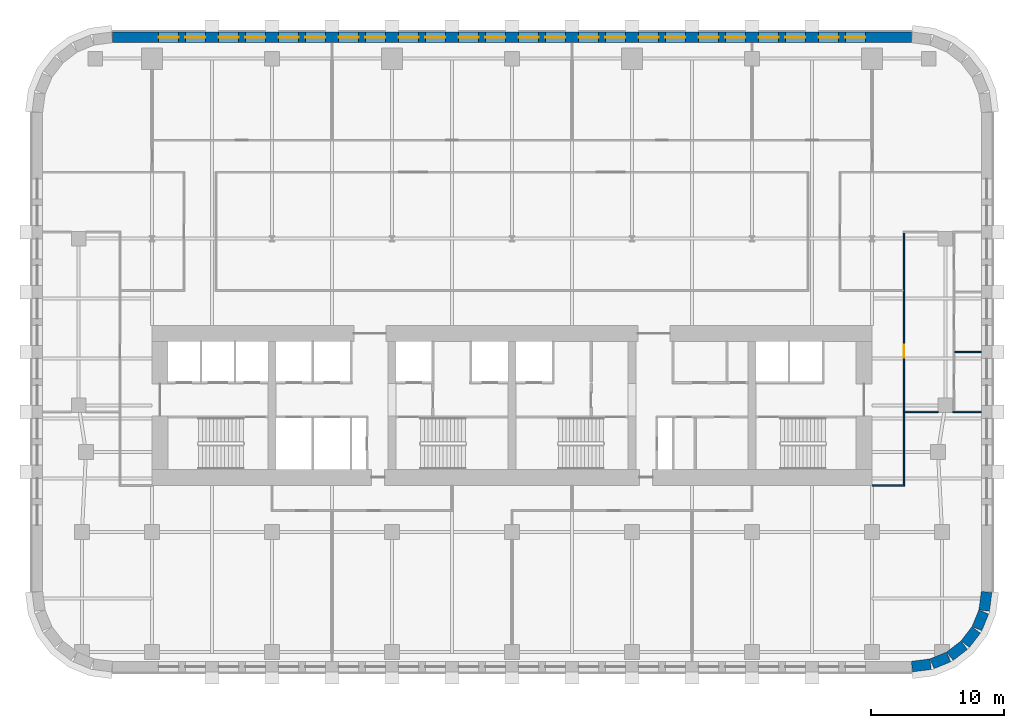
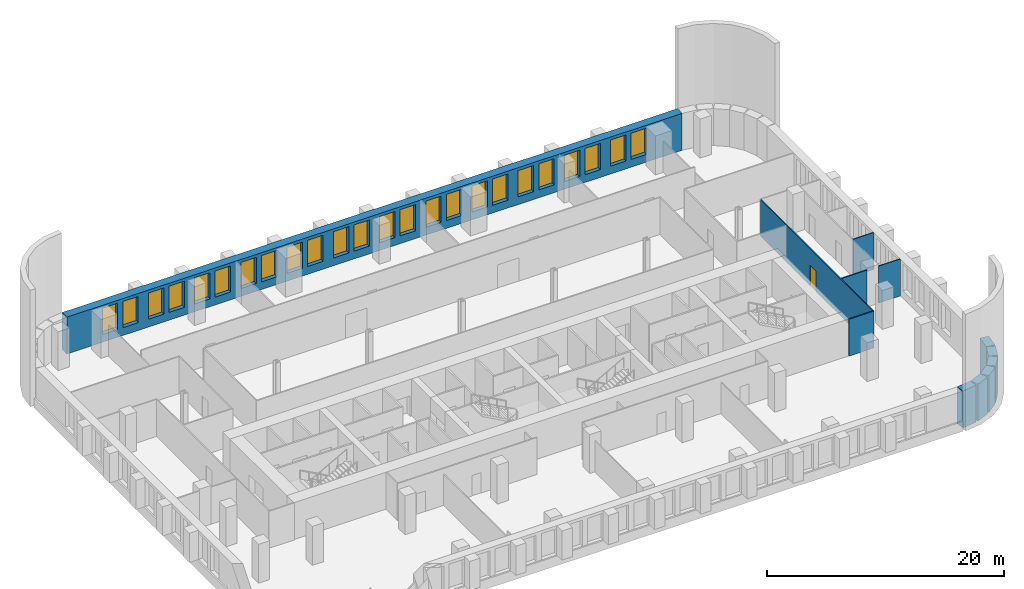
# One storey, part 8 of 12: 24 windows, 12 walls, 1 door, 25 openings.
"""IFC4 building model written with IfcOpenShell, lengths in metres."""

from ifc_helpers import new_model, si_unit, direction, frame, frame_2d, origin, place, context, subcontext, project, spatial, rectangle, extrude, material, layer, layer_set, type_object, element, fill, save


model = new_model("IFC4")

# Units and contexts
model_context = context("Model", 3, precision=1e-05, world=origin(), true_north=direction((0.0, 1.0)))
body_context = subcontext(model_context, "Body", "Model", "MODEL_VIEW")
ifc_project = project(units=[si_unit("LENGTHUNIT", "METRE"), si_unit("AREAUNIT", "SQUARE_METRE"), si_unit("VOLUMEUNIT", "CUBIC_METRE"), si_unit("PLANEANGLEUNIT", "RADIAN"), si_unit("MASSUNIT", "GRAM", prefix="KILO")], contexts=[model_context])

# Site, building, storey
site_placement = place(None, origin())
site = spatial("IfcSite", under=ifc_project, at=site_placement, CompositionType="ELEMENT")
building_placement = place(site_placement, origin())
building = spatial("IfcBuilding", under=site, at=building_placement, Name="Zellij Exchange Tower", CompositionType="ELEMENT")
storey_placement = place(building_placement, frame((0.0, 0.0, 88.5)))
storey = spatial("IfcBuildingStorey", under=building, at=storey_placement, Name="L18", CompositionType="ELEMENT", Elevation=88.5)

# Walls
ifc_material_1 = material(Name="Precast concrete C40/50", Category="concrete")
ifc_layer_1 = layer(ifc_material_1, 0.800048828125)
ifc_layer_set_1 = layer_set([ifc_layer_1], Name="Precast concrete C40/50")
wall_type_1 = type_object("IfcWallType", Name="ENV-EW1 Precast stone-piered wall 800", PredefinedType="SOLIDWALL", material=ifc_layer_set_1)
wall_1_placement = place(storey_placement, frame((29.999755859375, -27.5966796875, 0.0), z_axis=(0.0, 0.0, 1.0), x_axis=(0.99144603414, 0.130517283865, 0.0)))
element("IfcWall", 1, at=wall_1_placement, inside=storey, type_object=wall_type_1, Name="fac.L18.01", PredefinedType="SOLIDWALL", context=body_context, shape_type="SweptSolid", body=[
    extrude(rectangle(XDim=1.408447265625, YDim=0.800048828125, at=frame_2d((0.7041015625, 0.0))), origin(), (0.0, 0.0, 1.0), 3.800048828125),
])
wall_2_placement = place(storey_placement, frame((31.497314453125, -27.3857421875, 0.0), z_axis=(0.0, 0.0, 1.0), x_axis=(0.923847774587, 0.38276009378, 0.0)))
element("IfcWall", 2, at=wall_2_placement, inside=storey, type_object=wall_type_1, Name="fac.L18.02", PredefinedType="SOLIDWALL", context=body_context, shape_type="SweptSolid", body=[
    extrude(rectangle(XDim=1.35546875, YDim=0.800048828125, at=frame_2d((0.677734375, 0.0))), origin(), (0.0, 0.0, 1.0), 3.800048828125),
])
for number, where, z_axis, x_axis, name in (
    (3, (32.840087890625, -26.814697265625, 0.0), (0.0, 0.0, 1.0), (0.793272915452, 0.608866226366, 0.0), "fac.L18.03"),
    (4, (33.9892578125, -25.91552734375, 0.0), (0.0, 0.0, 1.0), (0.608866226366, 0.793272915452, 0.0), "fac.L18.04"),
):
    element("IfcWall", number, at=place(storey_placement, frame(where, z_axis=z_axis, x_axis=x_axis)), inside=storey, type_object=wall_type_1, Name=name, PredefinedType="SOLIDWALL", context=body_context, shape_type="SweptSolid", body=[
        extrude(rectangle(XDim=1.355712890625, YDim=0.800048828125, at=frame_2d((0.677734375, 0.0))), origin(), (0.0, 0.0, 1.0), 3.800048828125),
    ])
wall_3_placement = place(storey_placement, frame((34.866943359375, -24.74951171875, 0.0), z_axis=(0.0, 0.0, 1.0), x_axis=(0.38276009378, 0.923847774587, 0.0)))
element("IfcWall", 5, at=wall_3_placement, inside=storey, type_object=wall_type_1, Name="fac.L18.05", PredefinedType="SOLIDWALL", context=body_context, shape_type="SweptSolid", body=[
    extrude(rectangle(XDim=1.35546875, YDim=0.800048828125, at=frame_2d((0.677734375, 0.0))), origin(), (0.0, 0.0, 1.0), 3.800048828125),
])
wall_4_placement = place(storey_placement, frame((35.412841796875, -23.396240234375, 0.0), z_axis=(0.0, 0.0, 1.0), x_axis=(0.130517283865, 0.99144603414, 0.0)))
element("IfcWall", 6, at=wall_4_placement, inside=storey, type_object=wall_type_1, Name="fac.L18.06", PredefinedType="SOLIDWALL", context=body_context, shape_type="SweptSolid", body=[
    extrude(rectangle(XDim=1.408447265625, YDim=0.800048828125, at=frame_2d((0.7041015625, 0.0))), origin(), (0.0, 0.0, 1.0), 3.800048828125),
])

# Wall, openings, windows
wall_5_placement = place(storey_placement, frame((29.947509765625, 19.60009765625, 0.0), z_axis=(0.0, 0.0, 1.0), x_axis=(-1.0, 0.0, 0.0)))
wall_5 = element("IfcWall", 7, at=wall_5_placement, inside=storey, type_object=wall_type_1, Name="fac.L18.14", PredefinedType="SOLIDWALL", context=body_context, shape_type="SweptSolid", body=[
    extrude(rectangle(XDim=59.89501953125, YDim=0.800048828125, at=frame_2d((29.947509765625, 0.0))), origin(), (0.0, 0.0, 1.0), 3.800048828125),
])
opening_1_placement = place(wall_5_placement, frame((3.447509765625, 0.0, 0.800048828125)))
opening_1 = element("IfcOpeningElement", 8, at=opening_1_placement, cuts=wall_5, Name="Opening FZ1.37", PredefinedType="OPENING", context=body_context, shape_type="SweptSolid", body=[
    extrude(rectangle(XDim=1.5, YDim=2.699951171875, at=frame_2d((0.75, 1.35009765625))), frame((0.0, 0.412109375, 0.0), z_axis=(0.0, -1.0, 0.0), x_axis=(1.0, 0.0, 0.0)), (0.0, 0.0, 1.0), 0.823974609375),
])
opening_2_placement = place(wall_5_placement, frame((5.447509765625, 0.0, 0.800048828125)))
opening_2 = element("IfcOpeningElement", 9, at=opening_2_placement, cuts=wall_5, Name="Opening FZ1.38", PredefinedType="OPENING", context=body_context, shape_type="SweptSolid", body=[
    extrude(rectangle(XDim=1.5, YDim=2.699951171875, at=frame_2d((0.75, 1.35009765625))), frame((0.0, 0.412109375, 0.0), z_axis=(0.0, -1.0, 0.0), x_axis=(1.0, 0.0, 0.0)), (0.0, 0.0, 1.0), 0.823974609375),
])
opening_3_placement = place(wall_5_placement, frame((7.947509765625, 0.0, 0.800048828125)))
opening_3 = element("IfcOpeningElement", 10, at=opening_3_placement, cuts=wall_5, Name="Opening FZ1.39", PredefinedType="OPENING", context=body_context, shape_type="SweptSolid", body=[
    extrude(rectangle(XDim=1.5, YDim=2.699951171875, at=frame_2d((0.75, 1.35009765625))), frame((0.0, 0.412109375, 0.0), z_axis=(0.0, -1.0, 0.0), x_axis=(1.0, 0.0, 0.0)), (0.0, 0.0, 1.0), 0.823974609375),
])
opening_4_placement = place(wall_5_placement, frame((9.947509765625, 0.0, 0.800048828125)))
opening_4 = element("IfcOpeningElement", 11, at=opening_4_placement, cuts=wall_5, Name="Opening FZ1.40", PredefinedType="OPENING", context=body_context, shape_type="SweptSolid", body=[
    extrude(rectangle(XDim=1.5, YDim=2.699951171875, at=frame_2d((0.75, 1.35009765625))), frame((0.0, 0.412109375, 0.0), z_axis=(0.0, -1.0, 0.0), x_axis=(1.0, 0.0, 0.0)), (0.0, 0.0, 1.0), 0.823974609375),
])
opening_5_placement = place(wall_5_placement, frame((12.447509765625, 0.0, 0.800048828125)))
opening_5 = element("IfcOpeningElement", 12, at=opening_5_placement, cuts=wall_5, Name="Opening FZ1.41", PredefinedType="OPENING", context=body_context, shape_type="SweptSolid", body=[
    extrude(rectangle(XDim=1.5, YDim=2.699951171875, at=frame_2d((0.75, 1.35009765625))), frame((0.0, 0.412109375, 0.0), z_axis=(0.0, -1.0, 0.0), x_axis=(1.0, 0.0, 0.0)), (0.0, 0.0, 1.0), 0.823974609375),
])
opening_6_placement = place(wall_5_placement, frame((14.447509765625, 0.0, 0.800048828125)))
opening_6 = element("IfcOpeningElement", 13, at=opening_6_placement, cuts=wall_5, Name="Opening FZ1.42", PredefinedType="OPENING", context=body_context, shape_type="SweptSolid", body=[
    extrude(rectangle(XDim=1.5, YDim=2.699951171875, at=frame_2d((0.75, 1.35009765625))), frame((0.0, 0.412109375, 0.0), z_axis=(0.0, -1.0, 0.0), x_axis=(1.0, 0.0, 0.0)), (0.0, 0.0, 1.0), 0.823974609375),
])
opening_7_placement = place(wall_5_placement, frame((16.947509765625, 0.0, 0.800048828125)))
opening_7 = element("IfcOpeningElement", 14, at=opening_7_placement, cuts=wall_5, Name="Opening FZ1.43", PredefinedType="OPENING", context=body_context, shape_type="SweptSolid", body=[
    extrude(rectangle(XDim=1.5, YDim=2.699951171875, at=frame_2d((0.75, 1.35009765625))), frame((0.0, 0.412109375, 0.0), z_axis=(0.0, -1.0, 0.0), x_axis=(1.0, 0.0, 0.0)), (0.0, 0.0, 1.0), 0.823974609375),
])
opening_8_placement = place(wall_5_placement, frame((18.947509765625, 0.0, 0.800048828125)))
opening_8 = element("IfcOpeningElement", 15, at=opening_8_placement, cuts=wall_5, Name="Opening FZ1.44", PredefinedType="OPENING", context=body_context, shape_type="SweptSolid", body=[
    extrude(rectangle(XDim=1.5, YDim=2.699951171875, at=frame_2d((0.75, 1.35009765625))), frame((0.0, 0.412109375, 0.0), z_axis=(0.0, -1.0, 0.0), x_axis=(1.0, 0.0, 0.0)), (0.0, 0.0, 1.0), 0.823974609375),
])
opening_9_placement = place(wall_5_placement, frame((21.447509765625, 0.0, 0.800048828125)))
opening_9 = element("IfcOpeningElement", 16, at=opening_9_placement, cuts=wall_5, Name="Opening FZ1.45", PredefinedType="OPENING", context=body_context, shape_type="SweptSolid", body=[
    extrude(rectangle(XDim=1.5, YDim=2.699951171875, at=frame_2d((0.75, 1.35009765625))), frame((0.0, 0.412109375, 0.0), z_axis=(0.0, -1.0, 0.0), x_axis=(1.0, 0.0, 0.0)), (0.0, 0.0, 1.0), 0.823974609375),
])
opening_10_placement = place(wall_5_placement, frame((23.447509765625, 0.0, 0.800048828125)))
opening_10 = element("IfcOpeningElement", 17, at=opening_10_placement, cuts=wall_5, Name="Opening FZ1.46", PredefinedType="OPENING", context=body_context, shape_type="SweptSolid", body=[
    extrude(rectangle(XDim=1.5, YDim=2.699951171875, at=frame_2d((0.75, 1.35009765625))), frame((0.0, 0.412109375, 0.0), z_axis=(0.0, -1.0, 0.0), x_axis=(1.0, 0.0, 0.0)), (0.0, 0.0, 1.0), 0.823974609375),
])
opening_11_placement = place(wall_5_placement, frame((25.947509765625, 0.0, 0.800048828125)))
opening_11 = element("IfcOpeningElement", 18, at=opening_11_placement, cuts=wall_5, Name="Opening FZ1.47", PredefinedType="OPENING", context=body_context, shape_type="SweptSolid", body=[
    extrude(rectangle(XDim=1.5, YDim=2.699951171875, at=frame_2d((0.75, 1.35009765625))), frame((0.0, 0.412109375, 0.0), z_axis=(0.0, -1.0, 0.0), x_axis=(1.0, 0.0, 0.0)), (0.0, 0.0, 1.0), 0.823974609375),
])
opening_12_placement = place(wall_5_placement, frame((27.947509765625, 0.0, 0.800048828125)))
opening_12 = element("IfcOpeningElement", 19, at=opening_12_placement, cuts=wall_5, Name="Opening FZ1.48", PredefinedType="OPENING", context=body_context, shape_type="SweptSolid", body=[
    extrude(rectangle(XDim=1.5, YDim=2.699951171875, at=frame_2d((0.75, 1.35009765625))), frame((0.0, 0.412109375, 0.0), z_axis=(0.0, -1.0, 0.0), x_axis=(1.0, 0.0, 0.0)), (0.0, 0.0, 1.0), 0.823974609375),
])
opening_13_placement = place(wall_5_placement, frame((30.447509765625, 0.0, 0.800048828125)))
opening_13 = element("IfcOpeningElement", 20, at=opening_13_placement, cuts=wall_5, Name="Opening FZ1.49", PredefinedType="OPENING", context=body_context, shape_type="SweptSolid", body=[
    extrude(rectangle(XDim=1.5, YDim=2.699951171875, at=frame_2d((0.75, 1.35009765625))), frame((0.0, 0.412109375, 0.0), z_axis=(0.0, -1.0, 0.0), x_axis=(1.0, 0.0, 0.0)), (0.0, 0.0, 1.0), 0.823974609375),
])
opening_14_placement = place(wall_5_placement, frame((32.447509765625, 0.0, 0.800048828125)))
opening_14 = element("IfcOpeningElement", 21, at=opening_14_placement, cuts=wall_5, Name="Opening FZ1.50", PredefinedType="OPENING", context=body_context, shape_type="SweptSolid", body=[
    extrude(rectangle(XDim=1.5, YDim=2.699951171875, at=frame_2d((0.75, 1.35009765625))), frame((0.0, 0.412109375, 0.0), z_axis=(0.0, -1.0, 0.0), x_axis=(1.0, 0.0, 0.0)), (0.0, 0.0, 1.0), 0.823974609375),
])
opening_15_placement = place(wall_5_placement, frame((34.947509765625, 0.0, 0.800048828125)))
opening_15 = element("IfcOpeningElement", 22, at=opening_15_placement, cuts=wall_5, Name="Opening FZ1.51", PredefinedType="OPENING", context=body_context, shape_type="SweptSolid", body=[
    extrude(rectangle(XDim=1.5, YDim=2.699951171875, at=frame_2d((0.75, 1.35009765625))), frame((0.0, 0.412109375, 0.0), z_axis=(0.0, -1.0, 0.0), x_axis=(1.0, 0.0, 0.0)), (0.0, 0.0, 1.0), 0.823974609375),
])
opening_16_placement = place(wall_5_placement, frame((36.947509765625, 0.0, 0.800048828125)))
opening_16 = element("IfcOpeningElement", 23, at=opening_16_placement, cuts=wall_5, Name="Opening FZ1.52", PredefinedType="OPENING", context=body_context, shape_type="SweptSolid", body=[
    extrude(rectangle(XDim=1.5, YDim=2.699951171875, at=frame_2d((0.75, 1.35009765625))), frame((0.0, 0.412109375, 0.0), z_axis=(0.0, -1.0, 0.0), x_axis=(1.0, 0.0, 0.0)), (0.0, 0.0, 1.0), 0.823974609375),
])
opening_17_placement = place(wall_5_placement, frame((39.447509765625, 0.0, 0.800048828125)))
opening_17 = element("IfcOpeningElement", 24, at=opening_17_placement, cuts=wall_5, Name="Opening FZ1.53", PredefinedType="OPENING", context=body_context, shape_type="SweptSolid", body=[
    extrude(rectangle(XDim=1.5, YDim=2.699951171875, at=frame_2d((0.75, 1.35009765625))), frame((0.0, 0.412109375, 0.0), z_axis=(0.0, -1.0, 0.0), x_axis=(1.0, 0.0, 0.0)), (0.0, 0.0, 1.0), 0.823974609375),
])
opening_18_placement = place(wall_5_placement, frame((41.447509765625, 0.0, 0.800048828125)))
opening_18 = element("IfcOpeningElement", 25, at=opening_18_placement, cuts=wall_5, Name="Opening FZ1.54", PredefinedType="OPENING", context=body_context, shape_type="SweptSolid", body=[
    extrude(rectangle(XDim=1.5, YDim=2.699951171875, at=frame_2d((0.75, 1.35009765625))), frame((0.0, 0.412109375, 0.0), z_axis=(0.0, -1.0, 0.0), x_axis=(1.0, 0.0, 0.0)), (0.0, 0.0, 1.0), 0.823974609375),
])
opening_19_placement = place(wall_5_placement, frame((43.947509765625, 0.0, 0.800048828125)))
opening_19 = element("IfcOpeningElement", 26, at=opening_19_placement, cuts=wall_5, Name="Opening FZ1.55", PredefinedType="OPENING", context=body_context, shape_type="SweptSolid", body=[
    extrude(rectangle(XDim=1.5, YDim=2.699951171875, at=frame_2d((0.75, 1.35009765625))), frame((0.0, 0.412109375, 0.0), z_axis=(0.0, -1.0, 0.0), x_axis=(1.0, 0.0, 0.0)), (0.0, 0.0, 1.0), 0.823974609375),
])
opening_20_placement = place(wall_5_placement, frame((45.947509765625, 0.0, 0.800048828125)))
opening_20 = element("IfcOpeningElement", 27, at=opening_20_placement, cuts=wall_5, Name="Opening FZ1.56", PredefinedType="OPENING", context=body_context, shape_type="SweptSolid", body=[
    extrude(rectangle(XDim=1.5, YDim=2.699951171875, at=frame_2d((0.75, 1.35009765625))), frame((0.0, 0.412109375, 0.0), z_axis=(0.0, -1.0, 0.0), x_axis=(1.0, 0.0, 0.0)), (0.0, 0.0, 1.0), 0.823974609375),
])
opening_21_placement = place(wall_5_placement, frame((48.447509765625, 0.0, 0.800048828125)))
opening_21 = element("IfcOpeningElement", 28, at=opening_21_placement, cuts=wall_5, Name="Opening FZ1.57", PredefinedType="OPENING", context=body_context, shape_type="SweptSolid", body=[
    extrude(rectangle(XDim=1.5, YDim=2.699951171875, at=frame_2d((0.75, 1.35009765625))), frame((0.0, 0.412109375, 0.0), z_axis=(0.0, -1.0, 0.0), x_axis=(1.0, 0.0, 0.0)), (0.0, 0.0, 1.0), 0.823974609375),
])
opening_22_placement = place(wall_5_placement, frame((50.447509765625, 0.0, 0.800048828125)))
opening_22 = element("IfcOpeningElement", 29, at=opening_22_placement, cuts=wall_5, Name="Opening FZ1.58", PredefinedType="OPENING", context=body_context, shape_type="SweptSolid", body=[
    extrude(rectangle(XDim=1.5, YDim=2.699951171875, at=frame_2d((0.75, 1.35009765625))), frame((0.0, 0.412109375, 0.0), z_axis=(0.0, -1.0, 0.0), x_axis=(1.0, 0.0, 0.0)), (0.0, 0.0, 1.0), 0.823974609375),
])
opening_23_placement = place(wall_5_placement, frame((52.947509765625, 0.0, 0.800048828125)))
opening_23 = element("IfcOpeningElement", 30, at=opening_23_placement, cuts=wall_5, Name="Opening FZ1.59", PredefinedType="OPENING", context=body_context, shape_type="SweptSolid", body=[
    extrude(rectangle(XDim=1.5, YDim=2.699951171875, at=frame_2d((0.75, 1.35009765625))), frame((0.0, 0.412109375, 0.0), z_axis=(0.0, -1.0, 0.0), x_axis=(1.0, 0.0, 0.0)), (0.0, 0.0, 1.0), 0.823974609375),
])
opening_24_placement = place(wall_5_placement, frame((54.947509765625, 0.0, 0.800048828125)))
opening_24 = element("IfcOpeningElement", 31, at=opening_24_placement, cuts=wall_5, Name="Opening FZ1.60", PredefinedType="OPENING", context=body_context, shape_type="SweptSolid", body=[
    extrude(rectangle(XDim=1.5, YDim=2.699951171875, at=frame_2d((0.75, 1.35009765625))), frame((0.0, 0.412109375, 0.0), z_axis=(0.0, -1.0, 0.0), x_axis=(1.0, 0.0, 0.0)), (0.0, 0.0, 1.0), 0.823974609375),
])
ifc_material_2 = material(Name="Aluminium frame with insulating glass", Category="aluminium")
window_type = type_object("IfcWindowType", Name="ENV-W6 Window 1500x2700", PartitioningType="SINGLE_PANEL", PredefinedType="WINDOW", material=ifc_material_2)
window_1_placement = place(opening_1_placement, origin())
window_1 = element("IfcWindow", 32, at=window_1_placement, inside=storey, type_object=window_type, Name="Window FZ1.37", OverallHeight=2.699951171875, OverallWidth=1.5, PartitioningType="SINGLE_PANEL", PredefinedType="WINDOW", context=body_context, shape_type="SweptSolid", body=[
    extrude(rectangle(XDim=1.5, YDim=2.699951171875, at=frame_2d((0.75, 1.35009765625))), frame((0.0, 0.030029296875, 0.0), z_axis=(0.0, -1.0, 0.0), x_axis=(1.0, 0.0, 0.0)), (0.0, 0.0, 1.0), 0.06005859375),
])
fill(opening_1, window_1)
window_2_placement = place(opening_2_placement, origin())
window_2 = element("IfcWindow", 33, at=window_2_placement, inside=storey, type_object=window_type, Name="Window FZ1.38", OverallHeight=2.699951171875, OverallWidth=1.5, PartitioningType="SINGLE_PANEL", PredefinedType="WINDOW", context=body_context, shape_type="SweptSolid", body=[
    extrude(rectangle(XDim=1.5, YDim=2.699951171875, at=frame_2d((0.75, 1.35009765625))), frame((0.0, 0.030029296875, 0.0), z_axis=(0.0, -1.0, 0.0), x_axis=(1.0, 0.0, 0.0)), (0.0, 0.0, 1.0), 0.06005859375),
])
fill(opening_2, window_2)
window_3_placement = place(opening_3_placement, origin())
window_3 = element("IfcWindow", 34, at=window_3_placement, inside=storey, type_object=window_type, Name="Window FZ1.39", OverallHeight=2.699951171875, OverallWidth=1.5, PartitioningType="SINGLE_PANEL", PredefinedType="WINDOW", context=body_context, shape_type="SweptSolid", body=[
    extrude(rectangle(XDim=1.5, YDim=2.699951171875, at=frame_2d((0.75, 1.35009765625))), frame((0.0, 0.030029296875, 0.0), z_axis=(0.0, -1.0, 0.0), x_axis=(1.0, 0.0, 0.0)), (0.0, 0.0, 1.0), 0.06005859375),
])
fill(opening_3, window_3)
window_4_placement = place(opening_4_placement, origin())
window_4 = element("IfcWindow", 35, at=window_4_placement, inside=storey, type_object=window_type, Name="Window FZ1.40", OverallHeight=2.699951171875, OverallWidth=1.5, PartitioningType="SINGLE_PANEL", PredefinedType="WINDOW", context=body_context, shape_type="SweptSolid", body=[
    extrude(rectangle(XDim=1.5, YDim=2.699951171875, at=frame_2d((0.75, 1.35009765625))), frame((0.0, 0.030029296875, 0.0), z_axis=(0.0, -1.0, 0.0), x_axis=(1.0, 0.0, 0.0)), (0.0, 0.0, 1.0), 0.06005859375),
])
fill(opening_4, window_4)
window_5_placement = place(opening_5_placement, origin())
window_5 = element("IfcWindow", 36, at=window_5_placement, inside=storey, type_object=window_type, Name="Window FZ1.41", OverallHeight=2.699951171875, OverallWidth=1.5, PartitioningType="SINGLE_PANEL", PredefinedType="WINDOW", context=body_context, shape_type="SweptSolid", body=[
    extrude(rectangle(XDim=1.5, YDim=2.699951171875, at=frame_2d((0.75, 1.35009765625))), frame((0.0, 0.030029296875, 0.0), z_axis=(0.0, -1.0, 0.0), x_axis=(1.0, 0.0, 0.0)), (0.0, 0.0, 1.0), 0.06005859375),
])
fill(opening_5, window_5)
window_6_placement = place(opening_6_placement, origin())
window_6 = element("IfcWindow", 37, at=window_6_placement, inside=storey, type_object=window_type, Name="Window FZ1.42", OverallHeight=2.699951171875, OverallWidth=1.5, PartitioningType="SINGLE_PANEL", PredefinedType="WINDOW", context=body_context, shape_type="SweptSolid", body=[
    extrude(rectangle(XDim=1.5, YDim=2.699951171875, at=frame_2d((0.75, 1.35009765625))), frame((0.0, 0.030029296875, 0.0), z_axis=(0.0, -1.0, 0.0), x_axis=(1.0, 0.0, 0.0)), (0.0, 0.0, 1.0), 0.06005859375),
])
fill(opening_6, window_6)
window_7_placement = place(opening_7_placement, origin())
window_7 = element("IfcWindow", 38, at=window_7_placement, inside=storey, type_object=window_type, Name="Window FZ1.43", OverallHeight=2.699951171875, OverallWidth=1.5, PartitioningType="SINGLE_PANEL", PredefinedType="WINDOW", context=body_context, shape_type="SweptSolid", body=[
    extrude(rectangle(XDim=1.5, YDim=2.699951171875, at=frame_2d((0.75, 1.35009765625))), frame((0.0, 0.030029296875, 0.0), z_axis=(0.0, -1.0, 0.0), x_axis=(1.0, 0.0, 0.0)), (0.0, 0.0, 1.0), 0.06005859375),
])
fill(opening_7, window_7)
window_8_placement = place(opening_8_placement, origin())
window_8 = element("IfcWindow", 39, at=window_8_placement, inside=storey, type_object=window_type, Name="Window FZ1.44", OverallHeight=2.699951171875, OverallWidth=1.5, PartitioningType="SINGLE_PANEL", PredefinedType="WINDOW", context=body_context, shape_type="SweptSolid", body=[
    extrude(rectangle(XDim=1.5, YDim=2.699951171875, at=frame_2d((0.75, 1.35009765625))), frame((0.0, 0.030029296875, 0.0), z_axis=(0.0, -1.0, 0.0), x_axis=(1.0, 0.0, 0.0)), (0.0, 0.0, 1.0), 0.06005859375),
])
fill(opening_8, window_8)
window_9_placement = place(opening_9_placement, origin())
window_9 = element("IfcWindow", 40, at=window_9_placement, inside=storey, type_object=window_type, Name="Window FZ1.45", OverallHeight=2.699951171875, OverallWidth=1.5, PartitioningType="SINGLE_PANEL", PredefinedType="WINDOW", context=body_context, shape_type="SweptSolid", body=[
    extrude(rectangle(XDim=1.5, YDim=2.699951171875, at=frame_2d((0.75, 1.35009765625))), frame((0.0, 0.030029296875, 0.0), z_axis=(0.0, -1.0, 0.0), x_axis=(1.0, 0.0, 0.0)), (0.0, 0.0, 1.0), 0.06005859375),
])
fill(opening_9, window_9)
window_10_placement = place(opening_10_placement, origin())
window_10 = element("IfcWindow", 41, at=window_10_placement, inside=storey, type_object=window_type, Name="Window FZ1.46", OverallHeight=2.699951171875, OverallWidth=1.5, PartitioningType="SINGLE_PANEL", PredefinedType="WINDOW", context=body_context, shape_type="SweptSolid", body=[
    extrude(rectangle(XDim=1.5, YDim=2.699951171875, at=frame_2d((0.75, 1.35009765625))), frame((0.0, 0.030029296875, 0.0), z_axis=(0.0, -1.0, 0.0), x_axis=(1.0, 0.0, 0.0)), (0.0, 0.0, 1.0), 0.06005859375),
])
fill(opening_10, window_10)
window_11_placement = place(opening_11_placement, origin())
window_11 = element("IfcWindow", 42, at=window_11_placement, inside=storey, type_object=window_type, Name="Window FZ1.47", OverallHeight=2.699951171875, OverallWidth=1.5, PartitioningType="SINGLE_PANEL", PredefinedType="WINDOW", context=body_context, shape_type="SweptSolid", body=[
    extrude(rectangle(XDim=1.5, YDim=2.699951171875, at=frame_2d((0.75, 1.35009765625))), frame((0.0, 0.030029296875, 0.0), z_axis=(0.0, -1.0, 0.0), x_axis=(1.0, 0.0, 0.0)), (0.0, 0.0, 1.0), 0.06005859375),
])
fill(opening_11, window_11)
window_12_placement = place(opening_12_placement, origin())
window_12 = element("IfcWindow", 43, at=window_12_placement, inside=storey, type_object=window_type, Name="Window FZ1.48", OverallHeight=2.699951171875, OverallWidth=1.5, PartitioningType="SINGLE_PANEL", PredefinedType="WINDOW", context=body_context, shape_type="SweptSolid", body=[
    extrude(rectangle(XDim=1.5, YDim=2.699951171875, at=frame_2d((0.75, 1.35009765625))), frame((0.0, 0.030029296875, 0.0), z_axis=(0.0, -1.0, 0.0), x_axis=(1.0, 0.0, 0.0)), (0.0, 0.0, 1.0), 0.06005859375),
])
fill(opening_12, window_12)
window_13_placement = place(opening_13_placement, origin())
window_13 = element("IfcWindow", 44, at=window_13_placement, inside=storey, type_object=window_type, Name="Window FZ1.49", OverallHeight=2.699951171875, OverallWidth=1.5, PartitioningType="SINGLE_PANEL", PredefinedType="WINDOW", context=body_context, shape_type="SweptSolid", body=[
    extrude(rectangle(XDim=1.5, YDim=2.699951171875, at=frame_2d((0.75, 1.35009765625))), frame((0.0, 0.030029296875, 0.0), z_axis=(0.0, -1.0, 0.0), x_axis=(1.0, 0.0, 0.0)), (0.0, 0.0, 1.0), 0.06005859375),
])
fill(opening_13, window_13)
window_14_placement = place(opening_14_placement, origin())
window_14 = element("IfcWindow", 45, at=window_14_placement, inside=storey, type_object=window_type, Name="Window FZ1.50", OverallHeight=2.699951171875, OverallWidth=1.5, PartitioningType="SINGLE_PANEL", PredefinedType="WINDOW", context=body_context, shape_type="SweptSolid", body=[
    extrude(rectangle(XDim=1.5, YDim=2.699951171875, at=frame_2d((0.75, 1.35009765625))), frame((0.0, 0.030029296875, 0.0), z_axis=(0.0, -1.0, 0.0), x_axis=(1.0, 0.0, 0.0)), (0.0, 0.0, 1.0), 0.06005859375),
])
fill(opening_14, window_14)
window_15_placement = place(opening_15_placement, origin())
window_15 = element("IfcWindow", 46, at=window_15_placement, inside=storey, type_object=window_type, Name="Window FZ1.51", OverallHeight=2.699951171875, OverallWidth=1.5, PartitioningType="SINGLE_PANEL", PredefinedType="WINDOW", context=body_context, shape_type="SweptSolid", body=[
    extrude(rectangle(XDim=1.5, YDim=2.699951171875, at=frame_2d((0.75, 1.35009765625))), frame((0.0, 0.030029296875, 0.0), z_axis=(0.0, -1.0, 0.0), x_axis=(1.0, 0.0, 0.0)), (0.0, 0.0, 1.0), 0.06005859375),
])
fill(opening_15, window_15)
window_16_placement = place(opening_16_placement, origin())
window_16 = element("IfcWindow", 47, at=window_16_placement, inside=storey, type_object=window_type, Name="Window FZ1.52", OverallHeight=2.699951171875, OverallWidth=1.5, PartitioningType="SINGLE_PANEL", PredefinedType="WINDOW", context=body_context, shape_type="SweptSolid", body=[
    extrude(rectangle(XDim=1.5, YDim=2.699951171875, at=frame_2d((0.75, 1.35009765625))), frame((0.0, 0.030029296875, 0.0), z_axis=(0.0, -1.0, 0.0), x_axis=(1.0, 0.0, 0.0)), (0.0, 0.0, 1.0), 0.06005859375),
])
fill(opening_16, window_16)
window_17_placement = place(opening_17_placement, origin())
window_17 = element("IfcWindow", 48, at=window_17_placement, inside=storey, type_object=window_type, Name="Window FZ1.53", OverallHeight=2.699951171875, OverallWidth=1.5, PartitioningType="SINGLE_PANEL", PredefinedType="WINDOW", context=body_context, shape_type="SweptSolid", body=[
    extrude(rectangle(XDim=1.5, YDim=2.699951171875, at=frame_2d((0.75, 1.35009765625))), frame((0.0, 0.030029296875, 0.0), z_axis=(0.0, -1.0, 0.0), x_axis=(1.0, 0.0, 0.0)), (0.0, 0.0, 1.0), 0.06005859375),
])
fill(opening_17, window_17)
window_18_placement = place(opening_18_placement, origin())
window_18 = element("IfcWindow", 49, at=window_18_placement, inside=storey, type_object=window_type, Name="Window FZ1.54", OverallHeight=2.699951171875, OverallWidth=1.5, PartitioningType="SINGLE_PANEL", PredefinedType="WINDOW", context=body_context, shape_type="SweptSolid", body=[
    extrude(rectangle(XDim=1.5, YDim=2.699951171875, at=frame_2d((0.75, 1.35009765625))), frame((0.0, 0.030029296875, 0.0), z_axis=(0.0, -1.0, 0.0), x_axis=(1.0, 0.0, 0.0)), (0.0, 0.0, 1.0), 0.06005859375),
])
fill(opening_18, window_18)
window_19_placement = place(opening_19_placement, origin())
window_19 = element("IfcWindow", 50, at=window_19_placement, inside=storey, type_object=window_type, Name="Window FZ1.55", OverallHeight=2.699951171875, OverallWidth=1.5, PartitioningType="SINGLE_PANEL", PredefinedType="WINDOW", context=body_context, shape_type="SweptSolid", body=[
    extrude(rectangle(XDim=1.5, YDim=2.699951171875, at=frame_2d((0.75, 1.35009765625))), frame((0.0, 0.030029296875, 0.0), z_axis=(0.0, -1.0, 0.0), x_axis=(1.0, 0.0, 0.0)), (0.0, 0.0, 1.0), 0.06005859375),
])
fill(opening_19, window_19)
window_20_placement = place(opening_20_placement, origin())
window_20 = element("IfcWindow", 51, at=window_20_placement, inside=storey, type_object=window_type, Name="Window FZ1.56", OverallHeight=2.699951171875, OverallWidth=1.5, PartitioningType="SINGLE_PANEL", PredefinedType="WINDOW", context=body_context, shape_type="SweptSolid", body=[
    extrude(rectangle(XDim=1.5, YDim=2.699951171875, at=frame_2d((0.75, 1.35009765625))), frame((0.0, 0.030029296875, 0.0), z_axis=(0.0, -1.0, 0.0), x_axis=(1.0, 0.0, 0.0)), (0.0, 0.0, 1.0), 0.06005859375),
])
fill(opening_20, window_20)
window_21_placement = place(opening_21_placement, origin())
window_21 = element("IfcWindow", 52, at=window_21_placement, inside=storey, type_object=window_type, Name="Window FZ1.57", OverallHeight=2.699951171875, OverallWidth=1.5, PartitioningType="SINGLE_PANEL", PredefinedType="WINDOW", context=body_context, shape_type="SweptSolid", body=[
    extrude(rectangle(XDim=1.5, YDim=2.699951171875, at=frame_2d((0.75, 1.35009765625))), frame((0.0, 0.030029296875, 0.0), z_axis=(0.0, -1.0, 0.0), x_axis=(1.0, 0.0, 0.0)), (0.0, 0.0, 1.0), 0.06005859375),
])
fill(opening_21, window_21)
window_22_placement = place(opening_22_placement, origin())
window_22 = element("IfcWindow", 53, at=window_22_placement, inside=storey, type_object=window_type, Name="Window FZ1.58", OverallHeight=2.699951171875, OverallWidth=1.5, PartitioningType="SINGLE_PANEL", PredefinedType="WINDOW", context=body_context, shape_type="SweptSolid", body=[
    extrude(rectangle(XDim=1.5, YDim=2.699951171875, at=frame_2d((0.75, 1.35009765625))), frame((0.0, 0.030029296875, 0.0), z_axis=(0.0, -1.0, 0.0), x_axis=(1.0, 0.0, 0.0)), (0.0, 0.0, 1.0), 0.06005859375),
])
fill(opening_22, window_22)
window_23_placement = place(opening_23_placement, origin())
window_23 = element("IfcWindow", 54, at=window_23_placement, inside=storey, type_object=window_type, Name="Window FZ1.59", OverallHeight=2.699951171875, OverallWidth=1.5, PartitioningType="SINGLE_PANEL", PredefinedType="WINDOW", context=body_context, shape_type="SweptSolid", body=[
    extrude(rectangle(XDim=1.5, YDim=2.699951171875, at=frame_2d((0.75, 1.35009765625))), frame((0.0, 0.030029296875, 0.0), z_axis=(0.0, -1.0, 0.0), x_axis=(1.0, 0.0, 0.0)), (0.0, 0.0, 1.0), 0.06005859375),
])
fill(opening_23, window_23)
window_24_placement = place(opening_24_placement, origin())
window_24 = element("IfcWindow", 55, at=window_24_placement, inside=storey, type_object=window_type, Name="Window FZ1.60", OverallHeight=2.699951171875, OverallWidth=1.5, PartitioningType="SINGLE_PANEL", PredefinedType="WINDOW", context=body_context, shape_type="SweptSolid", body=[
    extrude(rectangle(XDim=1.5, YDim=2.699951171875, at=frame_2d((0.75, 1.35009765625))), frame((0.0, 0.030029296875, 0.0), z_axis=(0.0, -1.0, 0.0), x_axis=(1.0, 0.0, 0.0)), (0.0, 0.0, 1.0), 0.06005859375),
])
fill(opening_24, window_24)

# Wall
ifc_material_3 = material(Name="Gypsum board partition on steel studs", Category="steel")
ifc_layer_2 = layer(ifc_material_3, 0.10009765625)
ifc_layer_set_2 = layer_set([ifc_layer_2], Name="Gypsum board partition on steel studs")
wall_type_2 = type_object("IfcWallType", Name="FIT-PARTITION-100", PredefinedType="PARTITIONING", material=ifc_layer_set_2)
wall_6_placement = place(storey_placement, frame((27.0, -14.0, 0.0), z_axis=(0.0, 0.0, 1.0), x_axis=(1.0, 0.0, 0.0)))
element("IfcWall", 56, at=wall_6_placement, inside=storey, type_object=wall_type_2, Name="FIT-PARTITION-100 015", PredefinedType="PARTITIONING", context=body_context, shape_type="SweptSolid", body=[
    extrude(rectangle(XDim=2.449951171875, YDim=0.10009765625, at=frame_2d((1.22509765625, 0.0))), origin(), (0.0, 0.0, 1.0), 3.800048828125),
])

# Wall, opening, door
wall_7_placement = place(storey_placement, frame((29.39990234375, -13.949951171875, 0.0), z_axis=(0.0, 0.0, 1.0), x_axis=(0.0, 1.0, 0.0)))
wall_7 = element("IfcWall", 57, at=wall_7_placement, inside=storey, type_object=wall_type_2, Name="FIT-PARTITION-100 016", PredefinedType="PARTITIONING", context=body_context, shape_type="SweptSolid", body=[
    extrude(rectangle(XDim=18.889892578125, YDim=0.10009765625, at=frame_2d((9.44482421875, 0.0))), origin(), (0.0, 0.0, 1.0), 3.800048828125),
])
opening_25_placement = place(wall_7_placement, frame((9.510009765625, 0.0, 0.0)))
opening_25 = element("IfcOpeningElement", 58, at=opening_25_placement, cuts=wall_7, Name="Opening TD.07", PredefinedType="OPENING", context=body_context, shape_type="SweptSolid", body=[
    extrude(rectangle(XDim=1.0, YDim=2.10009765625, at=frame_2d((0.5, 1.050048828125))), frame((0.0, 0.06201171875, 0.0), z_axis=(0.0, -1.0, 0.0), x_axis=(1.0, 0.0, 0.0)), (0.0, 0.0, 1.0), 0.1240234375),
])
ifc_material_4 = material(Name="Timber door set", Category="wood")
door_type = type_object("IfcDoorType", Name="FIT-D2-WIDE-1000X2100", OperationType="SINGLE_SWING_LEFT", PredefinedType="DOOR", material=ifc_material_4)
door_placement = place(opening_25_placement, origin())
door = element("IfcDoor", 59, at=door_placement, inside=storey, type_object=door_type, Name="Door TD.07", OperationType="SINGLE_SWING_LEFT", OverallHeight=2.10009765625, OverallWidth=1.0, PredefinedType="DOOR", context=body_context, shape_type="SweptSolid", body=[
    extrude(rectangle(XDim=1.0, YDim=2.10009765625, at=frame_2d((0.5, 1.050048828125))), frame((0.0, 0.02490234375, 0.0), z_axis=(0.0, -1.0, 0.0), x_axis=(1.0, 0.0, 0.0)), (0.0, 0.0, 1.0), 0.050048828125),
])
fill(opening_25, door)

# Walls
wall_8_placement = place(storey_placement, frame((29.449951171875, -8.489990234375, 0.0), z_axis=(0.0, 0.0, 1.0), x_axis=(1.0, 0.0, 0.0)))
element("IfcWall", 60, at=wall_8_placement, inside=storey, type_object=wall_type_2, Name="FIT-PARTITION-100 019", PredefinedType="PARTITIONING", context=body_context, shape_type="SweptSolid", body=[
    extrude(rectangle(XDim=2.5, YDim=0.10009765625, at=frame_2d((1.25, 0.0))), origin(), (0.0, 0.0, 1.0), 3.800048828125),
])
wall_9_placement = place(storey_placement, frame((33.050048828125, -8.489990234375, 0.0), z_axis=(0.0, 0.0, 1.0), x_axis=(1.0, 0.0, 0.0)))
element("IfcWall", 61, at=wall_9_placement, inside=storey, type_object=wall_type_2, Name="FIT-PARTITION-100 020", PredefinedType="PARTITIONING", context=body_context, shape_type="SweptSolid", body=[
    extrude(rectangle(XDim=2.14990234375, YDim=0.10009765625, at=frame_2d((1.074951171875, 0.0))), origin(), (0.0, 0.0, 1.0), 3.800048828125),
])
wall_10_placement = place(storey_placement, frame((33.199951171875, -4.0, 0.0), z_axis=(0.0, 0.0, 1.0), x_axis=(1.0, 0.0, 0.0)))
element("IfcWall", 62, at=wall_10_placement, inside=storey, type_object=wall_type_2, Name="FIT-PARTITION-100 022", PredefinedType="PARTITIONING", context=body_context, shape_type="SweptSolid", body=[
    extrude(rectangle(XDim=2.0, YDim=0.10009765625, at=frame_2d((1.0, 0.0))), origin(), (0.0, 0.0, 1.0), 3.800048828125),
])

save(model, "model.ifc")
